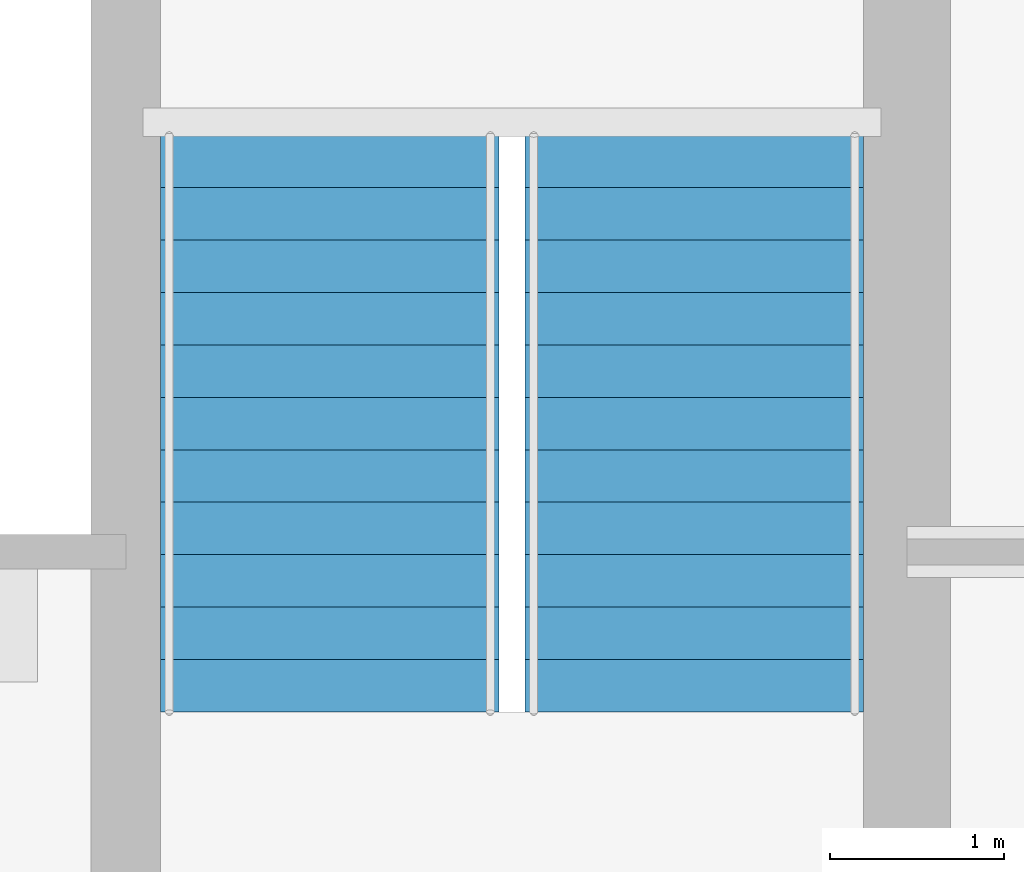
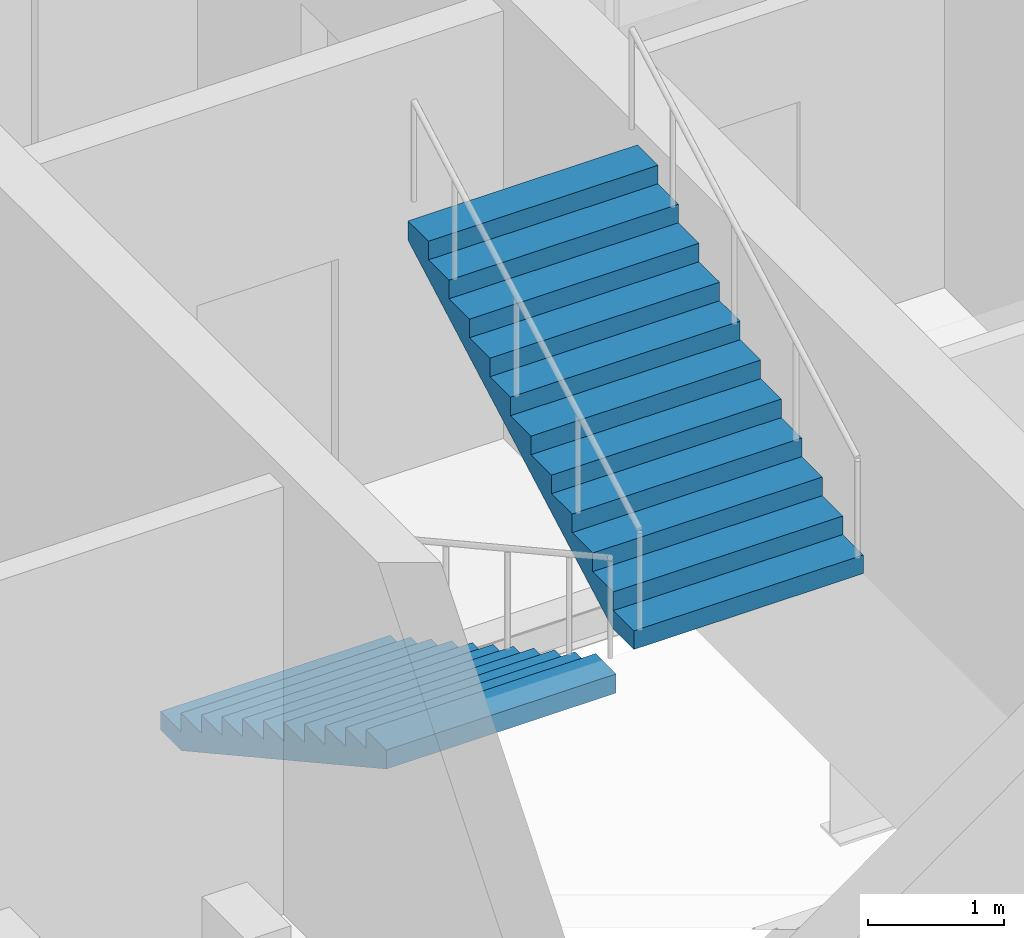
# One storey, part 11 of 13: 2 stair flights, 1 element without a shape of its own.
"""IFC4 building model written with IfcOpenShell, lengths in metres."""

from ifc_helpers import new_model, si_unit, direction, frame, origin, place, context, subcontext, project, spatial, polyline, outline, extrude, material, type_object, element, aggregate, save


model = new_model("IFC4")

# Units and contexts
model_context = context("Model", 3, precision=1e-05, world=origin(), true_north=direction((0.0, 1.0)))
body_context = subcontext(model_context, "Body", "Model", "MODEL_VIEW")
ifc_project = project(units=[si_unit("LENGTHUNIT", "METRE"), si_unit("AREAUNIT", "SQUARE_METRE"), si_unit("VOLUMEUNIT", "CUBIC_METRE"), si_unit("PLANEANGLEUNIT", "RADIAN"), si_unit("MASSUNIT", "GRAM", prefix="KILO")], contexts=[model_context])

# Site, building, storey
site_placement = place(None, origin())
site = spatial("IfcSite", under=ifc_project, at=site_placement, CompositionType="ELEMENT")
building_placement = place(site_placement, origin())
building = spatial("IfcBuilding", under=site, at=building_placement, Name="Corais Broadcast Tower", CompositionType="ELEMENT")
storey_placement = place(building_placement, frame((0.0, 0.0, 171.60009765625)))
storey = spatial("IfcBuildingStorey", under=building, at=storey_placement, Name="L39", CompositionType="ELEMENT", Elevation=171.60009765625)

# Stair, stair flights
ifc_material_1 = material(Name="Concrete C30/37", Category="concrete")
stair_type = type_object("IfcStairType", Name="Half-turn stair 4000", PredefinedType="HALF_TURN_STAIR", material=ifc_material_1)
stair_placement = place(storey_placement, origin())
stair = element("IfcStair", 1, at=stair_placement, inside=storey, type_object=stair_type, Name="Stair B L39", PredefinedType="HALF_TURN_STAIR")
ifc_material_2 = material(Name="Concrete C30/37", Category="concrete")
stair_flight_type = type_object("IfcStairFlightType", Name="Stair flight 4000", PredefinedType="STRAIGHT", material=ifc_material_2)
stair_flight_1_placement = place(storey_placement, frame((37.175048828125, 29.39990234375, 0.0), z_axis=(0.0, 0.0, 1.0), x_axis=(0.0, -1.0, 0.0)))
stair_flight_1 = element("IfcStairFlight", 2, at=stair_flight_1_placement, type_object=stair_flight_type, Name="STB flight 1", NumberOfRisers=12, NumberOfTreads=11, PredefinedType="STRAIGHT", RiserHeight=0.166666667, TreadLength=0.302, context=body_context, shape_type="SweptSolid", body=[
    extrude(outline(polyline([(0.0, 0.0), (0.0, 0.166748046875), (0.302001953125, 0.166748046875), (0.302001953125, 0.333251953125), (0.60400390625, 0.333251953125), (0.60400390625, 0.5), (0.906005859375, 0.5), (0.906005859375, 0.666748046875), (1.2080078125, 0.666748046875), (1.2080078125, 0.833251953125), (1.510009765625, 0.833251953125), (1.510009765625, 1.0), (1.81201171875, 1.0), (1.81201171875, 1.166748046875), (2.114013671875, 1.166748046875), (2.114013671875, 1.333251953125), (2.416015625, 1.333251953125), (2.416015625, 1.5), (2.718017578125, 1.5), (2.718017578125, 1.666748046875), (3.02001953125, 1.666748046875), (3.02001953125, 1.833251953125), (3.322021484375, 1.833251953125), (3.322021484375, 2.0), (3.322021484375, 1.662109375), (0.310302734375, 0.0), (0.0, 0.0)])), frame((0.0, 0.97509765625, 0.0), z_axis=(0.0, -1.0, 0.0), x_axis=(1.0, 0.0, 0.0)), (0.0, 0.0, 1.0), 1.949951171875),
])
stair_flight_2_placement = place(storey_placement, frame((39.27490234375, 26.077880859375, 2.0), z_axis=(0.0, 0.0, 1.0), x_axis=(0.0, 1.0, 0.0)))
stair_flight_2 = element("IfcStairFlight", 3, at=stair_flight_2_placement, type_object=stair_flight_type, Name="STB flight 2", NumberOfRisers=12, NumberOfTreads=11, PredefinedType="STRAIGHT", RiserHeight=0.166666667, TreadLength=0.302, context=body_context, shape_type="SweptSolid", body=[
    extrude(outline(polyline([(0.0, 0.0), (0.0, 0.166748046875), (0.302001953125, 0.166748046875), (0.302001953125, 0.333251953125), (0.60400390625, 0.333251953125), (0.60400390625, 0.5), (0.906005859375, 0.5), (0.906005859375, 0.666748046875), (1.2080078125, 0.666748046875), (1.2080078125, 0.833251953125), (1.510009765625, 0.833251953125), (1.510009765625, 1.0), (1.81201171875, 1.0), (1.81201171875, 1.166748046875), (2.114013671875, 1.166748046875), (2.114013671875, 1.333251953125), (2.416015625, 1.333251953125), (2.416015625, 1.5), (2.718017578125, 1.5), (2.718017578125, 1.666748046875), (3.02001953125, 1.666748046875), (3.02001953125, 1.833251953125), (3.322021484375, 1.833251953125), (3.322021484375, 2.0), (3.322021484375, 1.662109375), (0.310302734375, 0.0), (0.0, 0.0)])), frame((0.0, 0.97509765625, 0.0), z_axis=(0.0, -1.0, 0.0), x_axis=(1.0, 0.0, 0.0)), (0.0, 0.0, 1.0), 1.949951171875),
])
aggregate(stair, [stair_flight_1, stair_flight_2])

save(model, "model.ifc")
